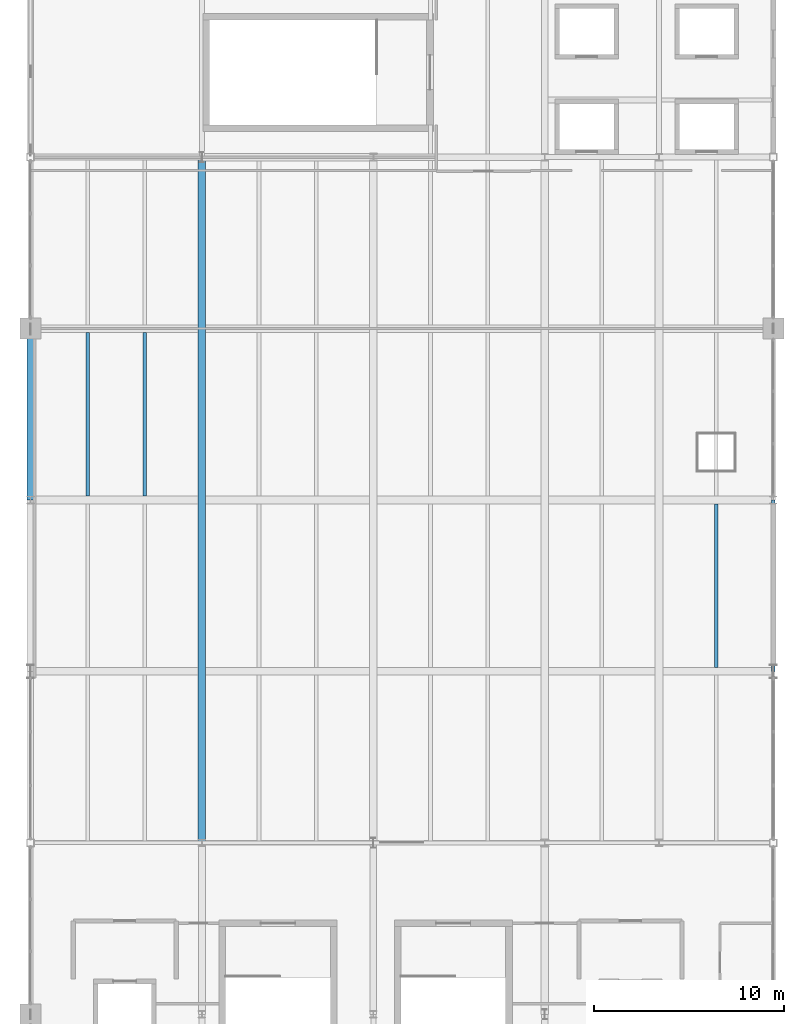
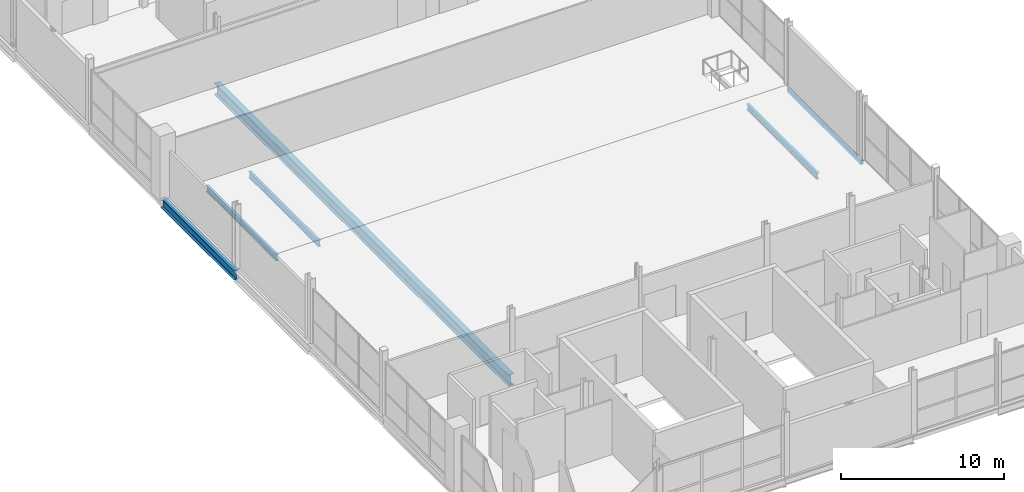
# One storey, part 11 of 29: 6 beams.
"""IFC4 building model written with IfcOpenShell, lengths in metres."""

from ifc_helpers import new_model, si_unit, direction, frame, origin, origin_2d, place, context, subcontext, project, spatial, hollow_rectangle, i_section, extrude, material, material_profile, profile_set, type_object, element, save


model = new_model("IFC4")

# Units and contexts
model_context = context("Model", 3, precision=1e-05, world=origin(), true_north=direction((0.0, 1.0)))
body_context = subcontext(model_context, "Body", "Model", "MODEL_VIEW")
ifc_project = project(units=[si_unit("LENGTHUNIT", "METRE"), si_unit("AREAUNIT", "SQUARE_METRE"), si_unit("VOLUMEUNIT", "CUBIC_METRE"), si_unit("PLANEANGLEUNIT", "RADIAN"), si_unit("MASSUNIT", "GRAM", prefix="KILO")], contexts=[model_context])

# Site, building, storey
site_placement = place(None, origin())
site = spatial("IfcSite", under=ifc_project, at=site_placement, CompositionType="ELEMENT")
building_placement = place(site_placement, origin())
building = spatial("IfcBuilding", under=site, at=building_placement, Name="Qamarlyn Nura Convention Centre", CompositionType="ELEMENT")
storey_placement = place(building_placement, frame((0.0, 0.0, 25.199951171875)))
storey = spatial("IfcBuildingStorey", under=building, at=storey_placement, Name="L05", CompositionType="ELEMENT", Elevation=25.199951171875)

# Beams
ifc_material_1 = material(Name="Steel ASTM A992", Category="steel")
ifc_material_profile_1 = material_profile(ifc_material_1, i_section(OverallWidth=0.35498046875, OverallDepth=0.695068359375, WebThickness=0.015380859375, FlangeThickness=0.02490234375, FilletRadius=0.01806640625, at=origin_2d()), Name="W690X217")
ifc_profile_set_1 = profile_set([ifc_material_profile_1], Name="Steel ASTM A992")
beam_type_1 = type_object("IfcBeamType", Name="BM-GIRD-690A", PredefinedType="BEAM", material=ifc_profile_set_1)
beam_1_placement = place(storey_placement, frame((153.0, 36.0, -0.58740234375), z_axis=(0.0, 1.0, 0.0), x_axis=(-1.0, 0.0, 0.0)))
element("IfcBeam", 1, at=beam_1_placement, inside=storey, type_object=beam_type_1, Name="L05 girder 13 E-F", PredefinedType="BEAM", context=body_context, shape_type="SweptSolid", body=[
    extrude(i_section(OverallWidth=0.35498046875, OverallDepth=0.695068359375, WebThickness=0.015380859375, FlangeThickness=0.02490234375, FilletRadius=0.01806640625, at=origin_2d()), origin(), (0.0, 0.0, 1.0), 9.0),
])
ifc_material_profile_2 = material_profile(ifc_material_1, i_section(OverallWidth=0.39990234375, OverallDepth=0.85498046875, WebThickness=0.018310546875, FlangeThickness=0.029296875, FilletRadius=0.02197265625, at=origin_2d()), Name="W840X299")
ifc_profile_set_2 = profile_set([ifc_material_profile_2], Name="Steel ASTM A992")
beam_type_2 = type_object("IfcBeamType", Name="BM-GIRD-840", PredefinedType="BEAM", material=ifc_profile_set_2)
beam_2_placement = place(storey_placement, frame((162.0, 18.0, -0.66748046875), z_axis=(0.0, 1.0, 0.0), x_axis=(-1.0, 0.0, 0.0)))
element("IfcBeam", 2, at=beam_2_placement, inside=storey, type_object=beam_type_2, Name="L05 girder 14 C-G", PredefinedType="BEAM", context=body_context, shape_type="SweptSolid", body=[
    extrude(i_section(OverallWidth=0.39990234375, OverallDepth=0.85498046875, WebThickness=0.018310546875, FlangeThickness=0.029296875, FilletRadius=0.02197265625, at=origin_2d()), origin(), (0.0, 0.0, 1.0), 36.0),
])
ifc_material_profile_3 = material_profile(ifc_material_1, i_section(OverallWidth=0.18994140625, OverallDepth=0.45703125, WebThickness=0.009033203125, FlangeThickness=0.014404296875, FilletRadius=0.012939453125, at=origin_2d()), Name="W460X74")
ifc_profile_set_3 = profile_set([ifc_material_profile_3], Name="Steel ASTM A992")
beam_type_3 = type_object("IfcBeamType", Name="BM-JOIST-460", PredefinedType="JOIST", material=ifc_profile_set_3)
for number, where, z_axis, x_axis, name in (
    (3, (156.0, 36.199951171875, -0.468505859375), (0.0, 1.0, 0.0), (-1.0, 0.0, 0.0), "L05 secondary joist 13-14/E-F-05"),
    (4, (159.0, 36.199951171875, -0.468505859375), (0.0, 1.0, 0.0), (-1.0, 0.0, 0.0), "L05 secondary joist 13-14/E-F-06"),
    (5, (189.0, 27.199951171875, -0.468505859375), (0.0, 1.0, 0.0), (-1.0, 0.0, 0.0), "L05 secondary joist 17-18/D-E-34"),
):
    element("IfcBeam", number, at=place(storey_placement, frame(where, z_axis=z_axis, x_axis=x_axis)), inside=storey, type_object=beam_type_3, Name=name, PredefinedType="JOIST", context=body_context, shape_type="SweptSolid", body=[
        extrude(i_section(OverallWidth=0.18994140625, OverallDepth=0.45703125, WebThickness=0.009033203125, FlangeThickness=0.014404296875, FilletRadius=0.012939453125, at=origin_2d()), origin(), (0.0, 0.0, 1.0), 8.60009765625),
    ])
ifc_material_2 = material(Name="Steel ASTM A500 Grade C", Category="steel")
ifc_material_profile_4 = material_profile(ifc_material_2, hollow_rectangle(XDim=0.199951171875, YDim=0.300048828125, WallThickness=0.012451171875, InnerFilletRadius=0.012451171875, OuterFilletRadius=0.02490234375, at=origin_2d()), Name="HSS300X200X12.5")
ifc_profile_set_4 = profile_set([ifc_material_profile_4], Name="Steel ASTM A500 Grade C")
beam_type_4 = type_object("IfcBeamType", Name="BM-SPAN-HSS", PredefinedType="SPANDREL", material=ifc_profile_set_4)
beam_3_placement = place(storey_placement, frame((192.0, 27.0, -0.389892578125), z_axis=(0.0, 1.0, 0.0), x_axis=(-1.0, 0.0, 0.0)))
element("IfcBeam", 6, at=beam_3_placement, inside=storey, type_object=beam_type_4, Name="L05 girder 18 D-E", PredefinedType="SPANDREL", context=body_context, shape_type="SweptSolid", body=[
    extrude(hollow_rectangle(XDim=0.199951171875, YDim=0.300048828125, WallThickness=0.012451171875, InnerFilletRadius=0.012451171875, OuterFilletRadius=0.02490234375, at=origin_2d()), origin(), (0.0, 0.0, 1.0), 9.0),
])

save(model, "model.ifc")
